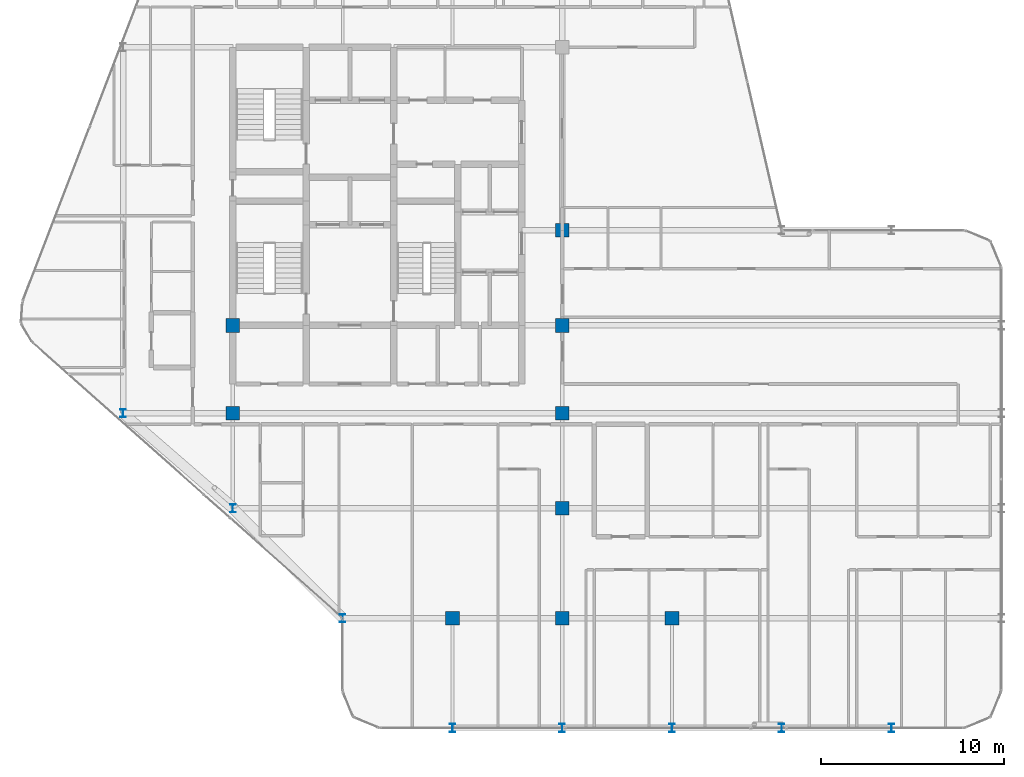
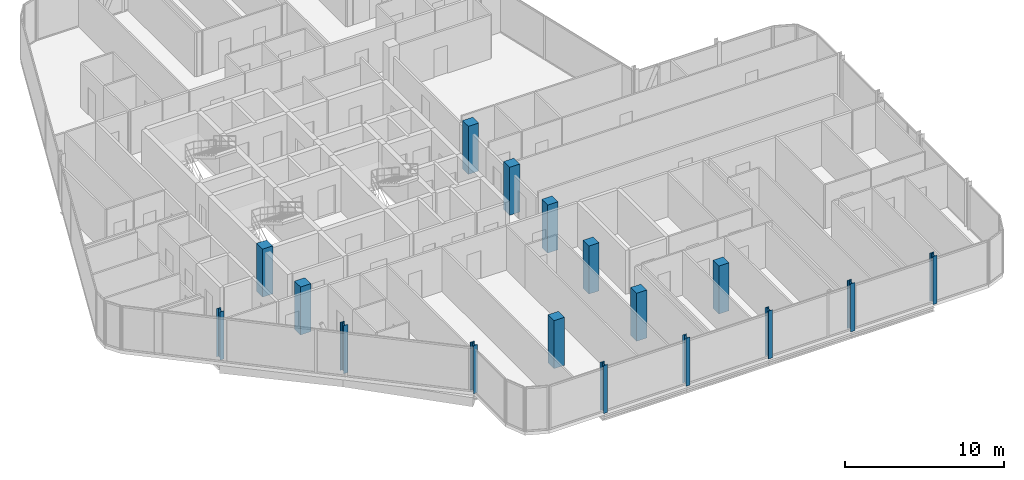
# One storey, part 1 of 29: 17 columns.
"""IFC4 building model written with IfcOpenShell, lengths in metres."""

from ifc_helpers import new_model, si_unit, direction, frame, origin, origin_2d, place, context, subcontext, project, spatial, rectangle, i_section, extrude, material, material_profile, profile_set, type_object, element, save


model = new_model("IFC4")

# Units and contexts
model_context = context("Model", 3, precision=1e-05, world=origin(), true_north=direction((0.0, 1.0)))
body_context = subcontext(model_context, "Body", "Model", "MODEL_VIEW")
ifc_project = project(units=[si_unit("LENGTHUNIT", "METRE"), si_unit("AREAUNIT", "SQUARE_METRE"), si_unit("VOLUMEUNIT", "CUBIC_METRE"), si_unit("PLANEANGLEUNIT", "RADIAN"), si_unit("MASSUNIT", "GRAM", prefix="KILO")], contexts=[model_context])

# Site, building, storey
site_placement = place(None, origin())
site = spatial("IfcSite", under=ifc_project, at=site_placement, CompositionType="ELEMENT")
building_placement = place(site_placement, origin())
building = spatial("IfcBuilding", under=site, at=building_placement, Name="Keshet Zoharim Tower", CompositionType="ELEMENT")
storey_placement = place(building_placement, frame((0.0, 0.0, 214.300048828125)))
storey = spatial("IfcBuildingStorey", under=building, at=storey_placement, Name="L53", CompositionType="ELEMENT", Elevation=214.300048828125)

# Columns
ifc_material_1 = material(Name="Steel S355", Category="steel")
ifc_material_profile_1 = material_profile(ifc_material_1, i_section(OverallWidth=0.300048828125, OverallDepth=0.449951171875, WebThickness=0.013916015625, FlangeThickness=0.02587890625, FilletRadius=0.027099609375, at=origin_2d()), Name="HEB450")
ifc_profile_set_1 = profile_set([ifc_material_profile_1], Name="Steel S355")
column_type_1 = type_object("IfcColumnType", Name="COL-HEB450", PredefinedType="COLUMN", material=ifc_profile_set_1)
for number, where, z_axis, x_axis, name in (
    (1, (9.0, 17.89990234375, 0.0), (0.0, 0.0, 1.0), (1.0, 0.0, 0.0), "L53 Column 2D"),
    (2, (15.0, 12.699951171875, 0.0), (0.0, 0.0, 1.0), (1.0, 0.0, 0.0), "L53 Column 3C"),
    (3, (21.0, 6.699951171875, 0.0), (0.0, 0.0, 1.0), (1.0, 0.0, 0.0), "L53 Column 4B"),
    (4, (27.0, 0.699951171875, 0.0), (0.0, 0.0, 1.0), (1.0, 0.0, 0.0), "L53 Column 5A"),
    (5, (33.0, 0.699951171875, 0.0), (0.0, 0.0, 1.0), (1.0, 0.0, 0.0), "L53 Column 6A"),
    (6, (39.0, 0.699951171875, 0.0), (0.0, 0.0, 1.0), (1.0, 0.0, 0.0), "L53 Column 7A"),
    (7, (45.0, 0.699951171875, 0.0), (0.0, 0.0, 1.0), (1.0, 0.0, 0.0), "L53 Column 8A"),
    (8, (51.0, 0.699951171875, 0.0), (0.0, 0.0, 1.0), (1.0, 0.0, 0.0), "L53 Column 9A"),
):
    element("IfcColumn", number, at=place(storey_placement, frame(where, z_axis=z_axis, x_axis=x_axis)), inside=storey, type_object=column_type_1, Name=name, PredefinedType="COLUMN", context=body_context, shape_type="SweptSolid", body=[
        extrude(i_section(OverallWidth=0.300048828125, OverallDepth=0.449951171875, WebThickness=0.013916015625, FlangeThickness=0.02587890625, FilletRadius=0.027099609375, at=origin_2d()), origin(), (0.0, 0.0, 1.0), 3.699951171875),
    ])
ifc_material_2 = material(Name="Concrete C50/60", Category="concrete")
ifc_material_profile_2 = material_profile(ifc_material_2, rectangle(XDim=0.75, YDim=0.75, at=origin_2d()), Name="RC750x750")
ifc_profile_set_2 = profile_set([ifc_material_profile_2], Name="Concrete C50/60")
column_type_2 = type_object("IfcColumnType", Name="COL-RC750", PredefinedType="COLUMN", material=ifc_profile_set_2)
for number, where, z_axis, x_axis, name in (
    (9, (15.0, 17.89990234375, 0.0), (0.0, 0.0, 1.0), (1.0, 0.0, 0.0), "L53 Column 3D"),
    (10, (15.0, 22.699951171875, 0.0), (0.0, 0.0, 1.0), (1.0, 0.0, 0.0), "L53 Column 3E"),
    (11, (27.0, 6.699951171875, 0.0), (0.0, 0.0, 1.0), (1.0, 0.0, 0.0), "L53 Column 5B"),
    (12, (33.0, 6.699951171875, 0.0), (0.0, 0.0, 1.0), (1.0, 0.0, 0.0), "L53 Column 6B"),
    (13, (33.0, 12.699951171875, 0.0), (0.0, 0.0, 1.0), (1.0, 0.0, 0.0), "L53 Column 6C"),
    (14, (33.0, 17.89990234375, 0.0), (0.0, 0.0, 1.0), (1.0, 0.0, 0.0), "L53 Column 6D"),
    (15, (33.0, 22.699951171875, 0.0), (0.0, 0.0, 1.0), (1.0, 0.0, 0.0), "L53 Column 6E"),
    (16, (33.0, 27.89990234375, 0.0), (0.0, 0.0, 1.0), (1.0, 0.0, 0.0), "L53 Column 6F"),
    (17, (39.0, 6.699951171875, 0.0), (0.0, 0.0, 1.0), (1.0, 0.0, 0.0), "L53 Column 7B"),
):
    element("IfcColumn", number, at=place(storey_placement, frame(where, z_axis=z_axis, x_axis=x_axis)), inside=storey, type_object=column_type_2, Name=name, PredefinedType="COLUMN", context=body_context, shape_type="SweptSolid", body=[
        extrude(rectangle(XDim=0.75, YDim=0.75, at=origin_2d()), origin(), (0.0, 0.0, 1.0), 3.699951171875),
    ])

save(model, "model.ifc")
